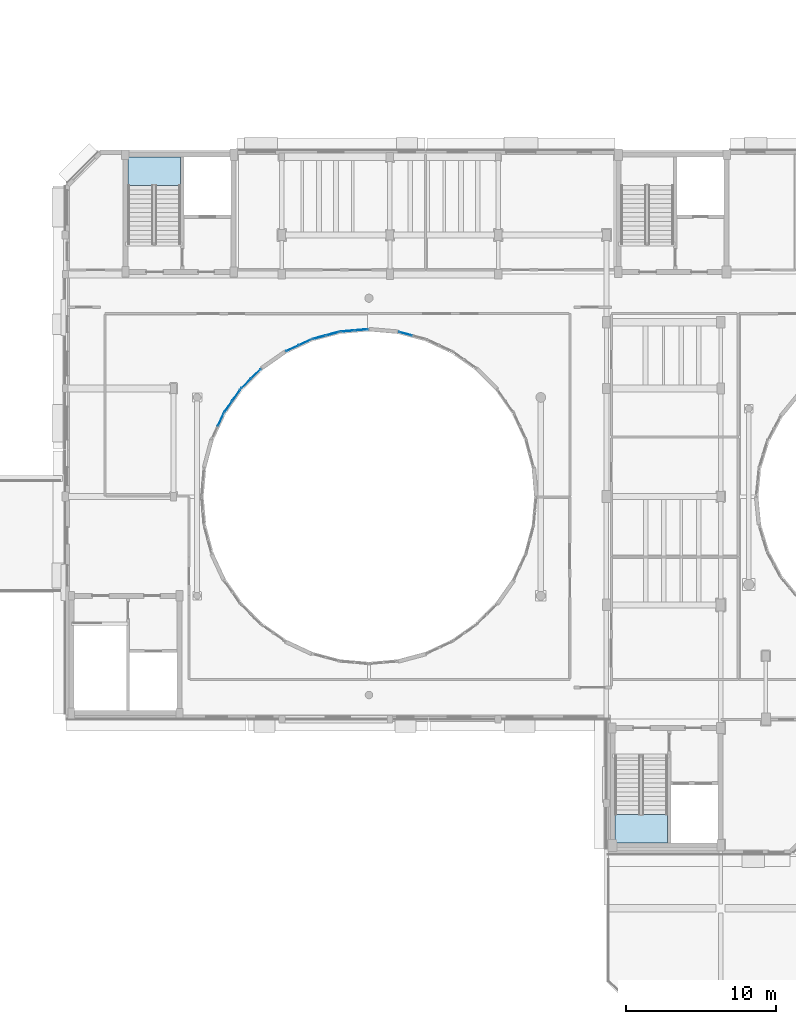
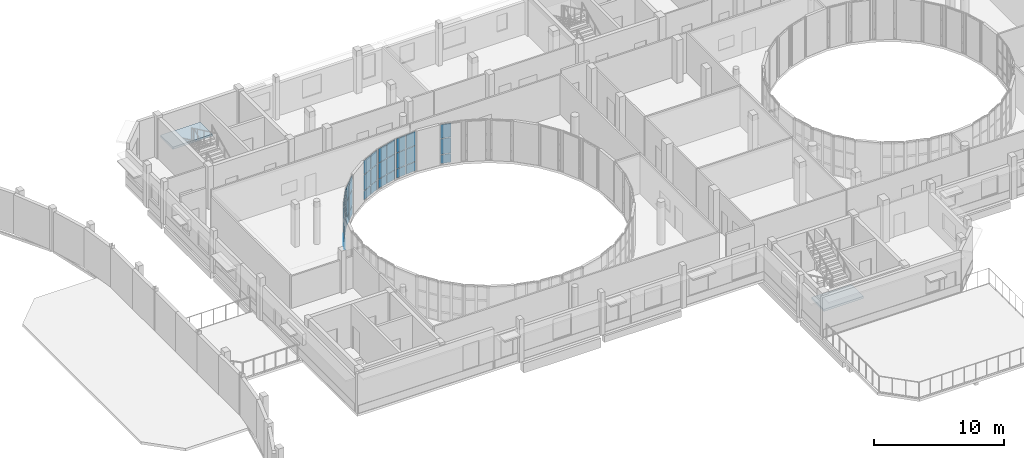
# One storey, part 56 of 89: 36 plates, 2 slabs, 9 elements without a shape of their own.
"""IFC4 building model written with IfcOpenShell, lengths in metres."""

from ifc_helpers import new_model, si_unit, direction, frame, origin, origin_2d, place, context, subcontext, project, spatial, polyline, rectangle, outline, extrude, material, layer, layer_set, type_object, element, aggregate, save


model = new_model("IFC4")

# Units and contexts
model_context = context("Model", 3, precision=1e-05, world=origin(), true_north=direction((0.0, 1.0)))
body_context = subcontext(model_context, "Body", "Model", "MODEL_VIEW")
ifc_project = project(units=[si_unit("LENGTHUNIT", "METRE"), si_unit("AREAUNIT", "SQUARE_METRE"), si_unit("VOLUMEUNIT", "CUBIC_METRE"), si_unit("PLANEANGLEUNIT", "RADIAN"), si_unit("MASSUNIT", "GRAM", prefix="KILO")], contexts=[model_context])

# Site, building, storey
site_placement = place(None, origin())
site = spatial("IfcSite", under=ifc_project, at=site_placement, CompositionType="ELEMENT")
building_placement = place(site_placement, origin())
building = spatial("IfcBuilding", under=site, at=building_placement, Name="Kelanivale Promenade Academy", CompositionType="ELEMENT")
storey_placement = place(building_placement, frame((0.0, 0.0, 12.199951171875)))
storey = spatial("IfcBuildingStorey", under=building, at=storey_placement, Name="L03", CompositionType="ELEMENT", Elevation=12.199951171875)

# Curtain wall, plates
ifc_material_1 = material(Name="Bronze anodised aluminium and solar-control low-E glass", Category="aluminium")
ifc_layer_1 = layer(ifc_material_1, 0.169921875)
ifc_layer_set_1 = layer_set([ifc_layer_1], Name="Bronze anodised aluminium and solar-control low-E glass")
curtain_wall_type_1 = type_object("IfcCurtainWallType", Name="CW-16 Curtain Wall 1800mm Module", PredefinedType="USERDEFINED", material=ifc_layer_set_1)
curtain_wall_1_placement = place(storey_placement, origin())
curtain_wall_1 = element("IfcCurtainWall", 1, at=curtain_wall_1_placement, inside=storey, type_object=curtain_wall_type_1, Name="L03 courtyard curtain wall CW-16", ObjectType="COURTYARD SCREEN GLAZING", PredefinedType="USERDEFINED")
ifc_material_2 = material(Name="Solar-control double glazing 28 mm", Category="glass")
ifc_layer_2 = layer(ifc_material_2, 0.028076171875)
ifc_layer_set_2 = layer_set([ifc_layer_2], Name="Solar-control double glazing 28 mm")
plate_type_1 = type_object("IfcPlateType", Name="CWP-01 Plate 28mm", PredefinedType="CURTAIN_PANEL", material=ifc_layer_set_2)
plate_1_placement = place(storey_placement, frame((65.835205078125, 67.63671875, 0.06005859375), z_axis=(0.0, 0.0, 1.0), x_axis=(-0.965990259056, 0.258578458902, 0.0)))
plate_1 = element("IfcPlate", 2, at=plate_1_placement, type_object=plate_type_1, Name="CW-16 panel 2.1", PredefinedType="CURTAIN_PANEL", context=body_context, shape_type="SweptSolid", body=[
    extrude(rectangle(XDim=0.853759765625, YDim=0.028076171875, at=origin_2d()), origin(), (0.0, 0.0, 1.0), 0.81005859375),
])
plate_2_placement = place(storey_placement, frame((65.835205078125, 67.63671875, 0.93017578125), z_axis=(0.0, 0.0, 1.0), x_axis=(-0.965990259056, 0.258578458902, 0.0)))
plate_2 = element("IfcPlate", 3, at=plate_2_placement, type_object=plate_type_1, Name="CW-16 panel 2.2", PredefinedType="CURTAIN_PANEL", context=body_context, shape_type="SweptSolid", body=[
    extrude(rectangle(XDim=0.853759765625, YDim=0.028076171875, at=origin_2d()), origin(), (0.0, 0.0, 1.0), 1.43994140625),
])
plate_3_placement = place(storey_placement, frame((65.835205078125, 67.63671875, 2.429931640625), z_axis=(0.0, 0.0, 1.0), x_axis=(-0.965990259056, 0.258578458902, 0.0)))
plate_3 = element("IfcPlate", 4, at=plate_3_placement, type_object=plate_type_1, Name="CW-16 panel 2.3", PredefinedType="CURTAIN_PANEL", context=body_context, shape_type="SweptSolid", body=[
    extrude(rectangle(XDim=0.853759765625, YDim=0.028076171875, at=origin_2d()), origin(), (0.0, 0.0, 1.0), 1.2900390625),
])
aggregate(curtain_wall_1, [plate_1, plate_2, plate_3])

ifc_layer_3 = layer(ifc_material_1, 0.169921875)
ifc_layer_set_3 = layer_set([ifc_layer_3], Name="Bronze anodised aluminium and solar-control low-E glass")
curtain_wall_type_2 = type_object("IfcCurtainWallType", Name="CW-19 Curtain Wall 1350mm Module", PredefinedType="USERDEFINED", material=ifc_layer_set_3)
curtain_wall_2_placement = place(storey_placement, origin())
curtain_wall_2 = element("IfcCurtainWall", 5, at=curtain_wall_2_placement, inside=storey, type_object=curtain_wall_type_2, Name="L03 courtyard curtain wall CW-19", ObjectType="COURTYARD SCREEN GLAZING", PredefinedType="USERDEFINED")
plate_4_placement = place(storey_placement, frame((59.13330078125, 67.055908203125, 0.05029296875), z_axis=(0.0, 0.0, 1.0), x_axis=(-0.906089128146, -0.423086860887, 0.0)))
plate_4 = element("IfcPlate", 6, at=plate_4_placement, type_object=plate_type_1, Name="CW-19 panel 1.1", PredefinedType="CURTAIN_PANEL", context=body_context, shape_type="SweptSolid", body=[
    extrude(rectangle(XDim=0.853759765625, YDim=0.028076171875, at=origin_2d()), origin(), (0.0, 0.0, 1.0), 0.824951171875),
])
plate_5_placement = place(storey_placement, frame((59.13330078125, 67.055908203125, 0.92529296875), z_axis=(0.0, 0.0, 1.0), x_axis=(-0.906089128146, -0.423086860887, 0.0)))
plate_5 = element("IfcPlate", 7, at=plate_5_placement, type_object=plate_type_1, Name="CW-19 panel 1.2", PredefinedType="CURTAIN_PANEL", context=body_context, shape_type="SweptSolid", body=[
    extrude(rectangle(XDim=0.853759765625, YDim=0.028076171875, at=origin_2d()), origin(), (0.0, 0.0, 1.0), 1.449951171875),
])
plate_6_placement = place(storey_placement, frame((59.13330078125, 67.055908203125, 2.42529296875), z_axis=(0.0, 0.0, 1.0), x_axis=(-0.906089128146, -0.423086860887, 0.0)))
plate_6 = element("IfcPlate", 8, at=plate_6_placement, type_object=plate_type_1, Name="CW-19 panel 1.3", PredefinedType="CURTAIN_PANEL", context=body_context, shape_type="SweptSolid", body=[
    extrude(rectangle(XDim=0.853759765625, YDim=0.028076171875, at=origin_2d()), origin(), (0.0, 0.0, 1.0), 1.304931640625),
])
plate_7_placement = place(storey_placement, frame((58.30078125, 66.667236328125, 0.05029296875), z_axis=(0.0, 0.0, 1.0), x_axis=(-0.906089128146, -0.423086860887, 0.0)))
plate_7 = element("IfcPlate", 9, at=plate_7_placement, type_object=plate_type_1, Name="CW-19 panel 2.1", PredefinedType="CURTAIN_PANEL", context=body_context, shape_type="SweptSolid", body=[
    extrude(rectangle(XDim=0.853759765625, YDim=0.028076171875, at=origin_2d()), origin(), (0.0, 0.0, 1.0), 0.824951171875),
])
plate_8_placement = place(storey_placement, frame((58.30078125, 66.667236328125, 0.92529296875), z_axis=(0.0, 0.0, 1.0), x_axis=(-0.906089128146, -0.423086860887, 0.0)))
plate_8 = element("IfcPlate", 10, at=plate_8_placement, type_object=plate_type_1, Name="CW-19 panel 2.2", PredefinedType="CURTAIN_PANEL", context=body_context, shape_type="SweptSolid", body=[
    extrude(rectangle(XDim=0.853759765625, YDim=0.028076171875, at=origin_2d()), origin(), (0.0, 0.0, 1.0), 1.449951171875),
])
plate_9_placement = place(storey_placement, frame((58.30078125, 66.667236328125, 2.42529296875), z_axis=(0.0, 0.0, 1.0), x_axis=(-0.906089128146, -0.423086860887, 0.0)))
plate_9 = element("IfcPlate", 11, at=plate_9_placement, type_object=plate_type_1, Name="CW-19 panel 2.3", PredefinedType="CURTAIN_PANEL", context=body_context, shape_type="SweptSolid", body=[
    extrude(rectangle(XDim=0.853759765625, YDim=0.028076171875, at=origin_2d()), origin(), (0.0, 0.0, 1.0), 1.304931640625),
])
aggregate(curtain_wall_2, [plate_4, plate_5, plate_6, plate_7, plate_8, plate_9])

ifc_layer_4 = layer(ifc_material_1, 0.169921875)
ifc_layer_set_4 = layer_set([ifc_layer_4], Name="Bronze anodised aluminium and solar-control low-E glass")
curtain_wall_type_3 = type_object("IfcCurtainWallType", Name="CW-22 Curtain Wall 1800mm Module", PredefinedType="USERDEFINED", material=ifc_layer_set_4)
curtain_wall_3_placement = place(storey_placement, origin())
curtain_wall_3 = element("IfcCurtainWall", 12, at=curtain_wall_3_placement, inside=storey, type_object=curtain_wall_type_3, Name="L03 courtyard curtain wall CW-22", ObjectType="COURTYARD SCREEN GLAZING", PredefinedType="USERDEFINED")
plate_10_placement = place(storey_placement, frame((53.539306640625, 61.914306640625, 0.05029296875), z_axis=(0.0, 0.0, 1.0), x_axis=(-0.423086860887, -0.906089128146, 0.0)))
plate_10 = element("IfcPlate", 13, at=plate_10_placement, type_object=plate_type_1, Name="CW-22 panel 1.1", PredefinedType="CURTAIN_PANEL", context=body_context, shape_type="SweptSolid", body=[
    extrude(rectangle(XDim=0.861328125, YDim=0.028076171875, at=origin_2d()), origin(), (0.0, 0.0, 1.0), 0.824951171875),
])
plate_11_placement = place(storey_placement, frame((53.539306640625, 61.914306640625, 0.92529296875), z_axis=(0.0, 0.0, 1.0), x_axis=(-0.423086860887, -0.906089128146, 0.0)))
plate_11 = element("IfcPlate", 14, at=plate_11_placement, type_object=plate_type_1, Name="CW-22 panel 1.2", PredefinedType="CURTAIN_PANEL", context=body_context, shape_type="SweptSolid", body=[
    extrude(rectangle(XDim=0.861328125, YDim=0.028076171875, at=origin_2d()), origin(), (0.0, 0.0, 1.0), 1.449951171875),
])
plate_12_placement = place(storey_placement, frame((53.539306640625, 61.914306640625, 2.42529296875), z_axis=(0.0, 0.0, 1.0), x_axis=(-0.423086860887, -0.906089128146, 0.0)))
plate_12 = element("IfcPlate", 15, at=plate_12_placement, type_object=plate_type_1, Name="CW-22 panel 1.3", PredefinedType="CURTAIN_PANEL", context=body_context, shape_type="SweptSolid", body=[
    extrude(rectangle(XDim=0.861328125, YDim=0.028076171875, at=origin_2d()), origin(), (0.0, 0.0, 1.0), 1.304931640625),
])
aggregate(curtain_wall_3, [plate_10, plate_11, plate_12])

ifc_layer_5 = layer(ifc_material_1, 0.179931640625)
ifc_layer_set_5 = layer_set([ifc_layer_5], Name="Bronze anodised aluminium and solar-control low-E glass")
curtain_wall_type_4 = type_object("IfcCurtainWallType", Name="CW-17 Curtain Wall 1950mm Module", PredefinedType="USERDEFINED", material=ifc_layer_set_5)
curtain_wall_4_placement = place(storey_placement, origin())
curtain_wall_4 = element("IfcCurtainWall", 16, at=curtain_wall_4_placement, inside=storey, type_object=curtain_wall_type_4, Name="L03 courtyard curtain wall CW-17", ObjectType="COURTYARD SCREEN GLAZING", PredefinedType="USERDEFINED")
ifc_material_3 = material(Name="Acoustic laminated double glazing 36 mm", Category="glass")
ifc_layer_6 = layer(ifc_material_3, 0.035888671875)
ifc_layer_set_6 = layer_set([ifc_layer_6], Name="Acoustic laminated double glazing 36 mm")
plate_type_2 = type_object("IfcPlateType", Name="CWP-02 Plate 36mm", PredefinedType="CURTAIN_PANEL", material=ifc_layer_set_6)
plate_13_placement = place(storey_placement, frame((62.88427734375, 67.895263671875, 0.05029296875), z_axis=(0.0, 0.0, 1.0), x_axis=(-0.996185153601, -0.087264768066, 0.0)))
plate_13 = element("IfcPlate", 17, at=plate_13_placement, type_object=plate_type_2, Name="CW-17 panel 1.1", PredefinedType="CURTAIN_PANEL", context=body_context, shape_type="SweptSolid", body=[
    extrude(rectangle(XDim=0.861083984375, YDim=0.035888671875, at=origin_2d()), origin(), (0.0, 0.0, 1.0), 0.824951171875),
])
plate_14_placement = place(storey_placement, frame((62.88427734375, 67.895263671875, 0.92529296875), z_axis=(0.0, 0.0, 1.0), x_axis=(-0.996185153601, -0.087264768066, 0.0)))
plate_14 = element("IfcPlate", 18, at=plate_14_placement, type_object=plate_type_2, Name="CW-17 panel 1.2", PredefinedType="CURTAIN_PANEL", context=body_context, shape_type="SweptSolid", body=[
    extrude(rectangle(XDim=0.861083984375, YDim=0.035888671875, at=origin_2d()), origin(), (0.0, 0.0, 1.0), 1.449951171875),
])
plate_15_placement = place(storey_placement, frame((62.88427734375, 67.895263671875, 2.42529296875), z_axis=(0.0, 0.0, 1.0), x_axis=(-0.996185153601, -0.087264768066, 0.0)))
plate_15 = element("IfcPlate", 19, at=plate_15_placement, type_object=plate_type_2, Name="CW-17 panel 1.3", PredefinedType="CURTAIN_PANEL", context=body_context, shape_type="SweptSolid", body=[
    extrude(rectangle(XDim=0.861083984375, YDim=0.035888671875, at=origin_2d()), origin(), (0.0, 0.0, 1.0), 1.304931640625),
])
plate_16_placement = place(storey_placement, frame((61.966796875, 67.814697265625, 0.05029296875), z_axis=(0.0, 0.0, 1.0), x_axis=(-0.996185153601, -0.087264768066, 0.0)))
plate_16 = element("IfcPlate", 20, at=plate_16_placement, type_object=plate_type_2, Name="CW-17 panel 2.1", PredefinedType="CURTAIN_PANEL", context=body_context, shape_type="SweptSolid", body=[
    extrude(rectangle(XDim=0.861083984375, YDim=0.035888671875, at=origin_2d()), origin(), (0.0, 0.0, 1.0), 0.824951171875),
])
plate_17_placement = place(storey_placement, frame((61.966796875, 67.814697265625, 0.92529296875), z_axis=(0.0, 0.0, 1.0), x_axis=(-0.996185153601, -0.087264768066, 0.0)))
plate_17 = element("IfcPlate", 21, at=plate_17_placement, type_object=plate_type_2, Name="CW-17 panel 2.2", PredefinedType="CURTAIN_PANEL", context=body_context, shape_type="SweptSolid", body=[
    extrude(rectangle(XDim=0.861083984375, YDim=0.035888671875, at=origin_2d()), origin(), (0.0, 0.0, 1.0), 1.449951171875),
])
plate_18_placement = place(storey_placement, frame((61.966796875, 67.814697265625, 2.42529296875), z_axis=(0.0, 0.0, 1.0), x_axis=(-0.996185153601, -0.087264768066, 0.0)))
plate_18 = element("IfcPlate", 22, at=plate_18_placement, type_object=plate_type_2, Name="CW-17 panel 2.3", PredefinedType="CURTAIN_PANEL", context=body_context, shape_type="SweptSolid", body=[
    extrude(rectangle(XDim=0.861083984375, YDim=0.035888671875, at=origin_2d()), origin(), (0.0, 0.0, 1.0), 1.304931640625),
])
aggregate(curtain_wall_4, [plate_13, plate_14, plate_15, plate_16, plate_17, plate_18])

ifc_layer_7 = layer(ifc_material_1, 0.179931640625)
ifc_layer_set_7 = layer_set([ifc_layer_7], Name="Bronze anodised aluminium and solar-control low-E glass")
curtain_wall_type_5 = type_object("IfcCurtainWallType", Name="CW-20 Curtain Wall 1500mm Module", PredefinedType="USERDEFINED", material=ifc_layer_set_7)
curtain_wall_5_placement = place(storey_placement, origin())
curtain_wall_5 = element("IfcCurtainWall", 23, at=curtain_wall_5_placement, inside=storey, type_object=curtain_wall_type_5, Name="L03 courtyard curtain wall CW-20", ObjectType="COURTYARD SCREEN GLAZING", PredefinedType="USERDEFINED")
plate_19_placement = place(storey_placement, frame((55.87158203125, 64.966552734375, 0.06005859375), z_axis=(0.0, 0.0, 1.0), x_axis=(-0.707106781187, -0.707106781187, 0.0)))
plate_19 = element("IfcPlate", 24, at=plate_19_placement, type_object=plate_type_2, Name="CW-20 panel 1.1", PredefinedType="CURTAIN_PANEL", context=body_context, shape_type="SweptSolid", body=[
    extrude(rectangle(XDim=0.852783203125, YDim=0.035888671875, at=origin_2d()), origin(), (0.0, 0.0, 1.0), 0.81005859375),
])
plate_20_placement = place(storey_placement, frame((55.87158203125, 64.966552734375, 0.93017578125), z_axis=(0.0, 0.0, 1.0), x_axis=(-0.707106781187, -0.707106781187, 0.0)))
plate_20 = element("IfcPlate", 25, at=plate_20_placement, type_object=plate_type_2, Name="CW-20 panel 1.2", PredefinedType="CURTAIN_PANEL", context=body_context, shape_type="SweptSolid", body=[
    extrude(rectangle(XDim=0.852783203125, YDim=0.035888671875, at=origin_2d()), origin(), (0.0, 0.0, 1.0), 1.43994140625),
])
plate_21_placement = place(storey_placement, frame((55.87158203125, 64.966552734375, 2.429931640625), z_axis=(0.0, 0.0, 1.0), x_axis=(-0.707106781187, -0.707106781187, 0.0)))
plate_21 = element("IfcPlate", 26, at=plate_21_placement, type_object=plate_type_2, Name="CW-20 panel 1.3", PredefinedType="CURTAIN_PANEL", context=body_context, shape_type="SweptSolid", body=[
    extrude(rectangle(XDim=0.852783203125, YDim=0.035888671875, at=origin_2d()), origin(), (0.0, 0.0, 1.0), 1.2900390625),
])
plate_22_placement = place(storey_placement, frame((55.222412109375, 64.3173828125, 0.06005859375), z_axis=(0.0, 0.0, 1.0), x_axis=(-0.707106781187, -0.707106781187, 0.0)))
plate_22 = element("IfcPlate", 27, at=plate_22_placement, type_object=plate_type_2, Name="CW-20 panel 2.1", PredefinedType="CURTAIN_PANEL", context=body_context, shape_type="SweptSolid", body=[
    extrude(rectangle(XDim=0.852783203125, YDim=0.035888671875, at=origin_2d()), origin(), (0.0, 0.0, 1.0), 0.81005859375),
])
plate_23_placement = place(storey_placement, frame((55.222412109375, 64.3173828125, 0.93017578125), z_axis=(0.0, 0.0, 1.0), x_axis=(-0.707106781187, -0.707106781187, 0.0)))
plate_23 = element("IfcPlate", 28, at=plate_23_placement, type_object=plate_type_2, Name="CW-20 panel 2.2", PredefinedType="CURTAIN_PANEL", context=body_context, shape_type="SweptSolid", body=[
    extrude(rectangle(XDim=0.852783203125, YDim=0.035888671875, at=origin_2d()), origin(), (0.0, 0.0, 1.0), 1.43994140625),
])
plate_24_placement = place(storey_placement, frame((55.222412109375, 64.3173828125, 2.429931640625), z_axis=(0.0, 0.0, 1.0), x_axis=(-0.707106781187, -0.707106781187, 0.0)))
plate_24 = element("IfcPlate", 29, at=plate_24_placement, type_object=plate_type_2, Name="CW-20 panel 2.3", PredefinedType="CURTAIN_PANEL", context=body_context, shape_type="SweptSolid", body=[
    extrude(rectangle(XDim=0.852783203125, YDim=0.035888671875, at=origin_2d()), origin(), (0.0, 0.0, 1.0), 1.2900390625),
])
aggregate(curtain_wall_5, [plate_19, plate_20, plate_21, plate_22, plate_23, plate_24])

ifc_layer_8 = layer(ifc_material_1, 0.159912109375)
ifc_layer_set_8 = layer_set([ifc_layer_8], Name="Bronze anodised aluminium and solar-control low-E glass")
curtain_wall_type_6 = type_object("IfcCurtainWallType", Name="CW-18 Curtain Wall 1200mm Module", PredefinedType="USERDEFINED", material=ifc_layer_set_8)
curtain_wall_6_placement = place(storey_placement, origin())
curtain_wall_6 = element("IfcCurtainWall", 30, at=curtain_wall_6_placement, inside=storey, type_object=curtain_wall_type_6, Name="L03 courtyard curtain wall CW-18", ObjectType="COURTYARD SCREEN GLAZING", PredefinedType="USERDEFINED")
ifc_material_4 = material(Name="Insulated bronze aluminium spandrel panel 44 mm", Category="aluminium")
ifc_layer_9 = layer(ifc_material_4, 0.0439453125)
ifc_layer_set_9 = layer_set([ifc_layer_9], Name="Insulated bronze aluminium spandrel panel 44 mm")
plate_type_3 = type_object("IfcPlateType", Name="CWP-03 Plate 44mm", PredefinedType="CURTAIN_PANEL", material=ifc_layer_set_9)
plate_25_placement = place(storey_placement, frame((60.9765625, 67.64013671875, 0.05029296875), z_axis=(0.0, 0.0, 1.0), x_axis=(-0.96595736195, -0.258701323721, 0.0)))
plate_25 = element("IfcPlate", 31, at=plate_25_placement, type_object=plate_type_3, Name="CW-18 panel 1.1", PredefinedType="CURTAIN_PANEL", context=body_context, shape_type="SweptSolid", body=[
    extrude(rectangle(XDim=0.86865234375, YDim=0.0439453125, at=origin_2d()), origin(), (0.0, 0.0, 1.0), 0.824951171875),
])
plate_26_placement = place(storey_placement, frame((60.9765625, 67.64013671875, 0.92529296875), z_axis=(0.0, 0.0, 1.0), x_axis=(-0.96595736195, -0.258701323721, 0.0)))
plate_26 = element("IfcPlate", 32, at=plate_26_placement, type_object=plate_type_3, Name="CW-18 panel 1.2", PredefinedType="CURTAIN_PANEL", context=body_context, shape_type="SweptSolid", body=[
    extrude(rectangle(XDim=0.86865234375, YDim=0.0439453125, at=origin_2d()), origin(), (0.0, 0.0, 1.0), 1.449951171875),
])
plate_27_placement = place(storey_placement, frame((60.9765625, 67.64013671875, 2.42529296875), z_axis=(0.0, 0.0, 1.0), x_axis=(-0.96595736195, -0.258701323721, 0.0)))
plate_27 = element("IfcPlate", 33, at=plate_27_placement, type_object=plate_type_3, Name="CW-18 panel 1.3", PredefinedType="CURTAIN_PANEL", context=body_context, shape_type="SweptSolid", body=[
    extrude(rectangle(XDim=0.86865234375, YDim=0.0439453125, at=origin_2d()), origin(), (0.0, 0.0, 1.0), 1.304931640625),
])
plate_28_placement = place(storey_placement, frame((60.07958984375, 67.39990234375, 0.05029296875), z_axis=(0.0, 0.0, 1.0), x_axis=(-0.96595736195, -0.258701323721, 0.0)))
plate_28 = element("IfcPlate", 34, at=plate_28_placement, type_object=plate_type_3, Name="CW-18 panel 2.1", PredefinedType="CURTAIN_PANEL", context=body_context, shape_type="SweptSolid", body=[
    extrude(rectangle(XDim=0.86865234375, YDim=0.0439453125, at=origin_2d()), origin(), (0.0, 0.0, 1.0), 0.824951171875),
])
plate_29_placement = place(storey_placement, frame((60.07958984375, 67.39990234375, 0.92529296875), z_axis=(0.0, 0.0, 1.0), x_axis=(-0.96595736195, -0.258701323721, 0.0)))
plate_29 = element("IfcPlate", 35, at=plate_29_placement, type_object=plate_type_3, Name="CW-18 panel 2.2", PredefinedType="CURTAIN_PANEL", context=body_context, shape_type="SweptSolid", body=[
    extrude(rectangle(XDim=0.86865234375, YDim=0.0439453125, at=origin_2d()), origin(), (0.0, 0.0, 1.0), 1.449951171875),
])
plate_30_placement = place(storey_placement, frame((60.07958984375, 67.39990234375, 2.42529296875), z_axis=(0.0, 0.0, 1.0), x_axis=(-0.96595736195, -0.258701323721, 0.0)))
plate_30 = element("IfcPlate", 36, at=plate_30_placement, type_object=plate_type_3, Name="CW-18 panel 2.3", PredefinedType="CURTAIN_PANEL", context=body_context, shape_type="SweptSolid", body=[
    extrude(rectangle(XDim=0.86865234375, YDim=0.0439453125, at=origin_2d()), origin(), (0.0, 0.0, 1.0), 1.304931640625),
])
aggregate(curtain_wall_6, [plate_25, plate_26, plate_27, plate_28, plate_29, plate_30])

ifc_layer_10 = layer(ifc_material_1, 0.159912109375)
ifc_layer_set_10 = layer_set([ifc_layer_10], Name="Bronze anodised aluminium and solar-control low-E glass")
curtain_wall_type_7 = type_object("IfcCurtainWallType", Name="CW-21 Curtain Wall 1650mm Module", PredefinedType="USERDEFINED", material=ifc_layer_set_10)
curtain_wall_7_placement = place(storey_placement, origin())
curtain_wall_7 = element("IfcCurtainWall", 37, at=curtain_wall_7_placement, inside=storey, type_object=curtain_wall_type_7, Name="L03 courtyard curtain wall CW-21", ObjectType="COURTYARD SCREEN GLAZING", PredefinedType="USERDEFINED")
plate_31_placement = place(storey_placement, frame((54.575439453125, 63.5458984375, 0.05029296875), z_axis=(0.0, 0.0, 1.0), x_axis=(-0.573567324515, -0.81915842439, 0.0)))
plate_31 = element("IfcPlate", 38, at=plate_31_placement, type_object=plate_type_3, Name="CW-21 panel 1.1", PredefinedType="CURTAIN_PANEL", context=body_context, shape_type="SweptSolid", body=[
    extrude(rectangle(XDim=0.868896484375, YDim=0.0439453125, at=origin_2d()), origin(), (0.0, 0.0, 1.0), 0.824951171875),
])
plate_32_placement = place(storey_placement, frame((54.575439453125, 63.5458984375, 0.92529296875), z_axis=(0.0, 0.0, 1.0), x_axis=(-0.573567324515, -0.81915842439, 0.0)))
plate_32 = element("IfcPlate", 39, at=plate_32_placement, type_object=plate_type_3, Name="CW-21 panel 1.2", PredefinedType="CURTAIN_PANEL", context=body_context, shape_type="SweptSolid", body=[
    extrude(rectangle(XDim=0.868896484375, YDim=0.0439453125, at=origin_2d()), origin(), (0.0, 0.0, 1.0), 1.449951171875),
])
plate_33_placement = place(storey_placement, frame((54.575439453125, 63.5458984375, 2.42529296875), z_axis=(0.0, 0.0, 1.0), x_axis=(-0.573567324515, -0.81915842439, 0.0)))
plate_33 = element("IfcPlate", 40, at=plate_33_placement, type_object=plate_type_3, Name="CW-21 panel 1.3", PredefinedType="CURTAIN_PANEL", context=body_context, shape_type="SweptSolid", body=[
    extrude(rectangle(XDim=0.868896484375, YDim=0.0439453125, at=origin_2d()), origin(), (0.0, 0.0, 1.0), 1.304931640625),
])
plate_34_placement = place(storey_placement, frame((54.042724609375, 62.78515625, 0.05029296875), z_axis=(0.0, 0.0, 1.0), x_axis=(-0.573567324515, -0.81915842439, 0.0)))
plate_34 = element("IfcPlate", 41, at=plate_34_placement, type_object=plate_type_3, Name="CW-21 panel 2.1", PredefinedType="CURTAIN_PANEL", context=body_context, shape_type="SweptSolid", body=[
    extrude(rectangle(XDim=0.868896484375, YDim=0.0439453125, at=origin_2d()), origin(), (0.0, 0.0, 1.0), 0.824951171875),
])
plate_35_placement = place(storey_placement, frame((54.042724609375, 62.78515625, 0.92529296875), z_axis=(0.0, 0.0, 1.0), x_axis=(-0.573567324515, -0.81915842439, 0.0)))
plate_35 = element("IfcPlate", 42, at=plate_35_placement, type_object=plate_type_3, Name="CW-21 panel 2.2", PredefinedType="CURTAIN_PANEL", context=body_context, shape_type="SweptSolid", body=[
    extrude(rectangle(XDim=0.868896484375, YDim=0.0439453125, at=origin_2d()), origin(), (0.0, 0.0, 1.0), 1.449951171875),
])
plate_36_placement = place(storey_placement, frame((54.042724609375, 62.78515625, 2.42529296875), z_axis=(0.0, 0.0, 1.0), x_axis=(-0.573567324515, -0.81915842439, 0.0)))
plate_36 = element("IfcPlate", 43, at=plate_36_placement, type_object=plate_type_3, Name="CW-21 panel 2.3", PredefinedType="CURTAIN_PANEL", context=body_context, shape_type="SweptSolid", body=[
    extrude(rectangle(XDim=0.868896484375, YDim=0.0439453125, at=origin_2d()), origin(), (0.0, 0.0, 1.0), 1.304931640625),
])
aggregate(curtain_wall_7, [plate_31, plate_32, plate_33, plate_34, plate_35, plate_36])

# Stair, slab
ifc_material_5 = material(Name="Concrete C35/45", Category="concrete")
stair_type = type_object("IfcStairType", Name="ST-T02 Protected dog-leg upper-storey stair", PredefinedType="HALF_TURN_STAIR", material=ifc_material_5)
stair_1_placement = place(storey_placement, origin())
stair_1 = element("IfcStair", 44, at=stair_1_placement, inside=storey, type_object=stair_type, Name="L03 ST-01", PredefinedType="HALF_TURN_STAIR")
ifc_layer_11 = layer(ifc_material_5, 0.199951171875)
ifc_layer_set_11 = layer_set([ifc_layer_11], Name="Concrete C35/45")
slab_type = type_object("IfcSlabType", Name="LS-01 Slab 200mm", PredefinedType="LANDING", material=ifc_layer_set_11)
slab_1_placement = place(storey_placement, frame((0.0, 0.0, 1.800048828125)))
slab_1 = element("IfcSlab", 45, at=slab_1_placement, type_object=slab_type, Name="ST-01 landing 1", PredefinedType="LANDING", context=body_context, shape_type="SweptSolid", body=[
    extrude(outline(polyline([(79.764892578125, 35.64501953125), (79.764892578125, 33.764892578125), (83.264892578125, 33.764892578125), (83.264892578125, 35.64501953125), (79.764892578125, 35.64501953125)])), origin(), (0.0, 0.0, 1.0), 0.199951171875),
])
aggregate(stair_1, [slab_1])

stair_2_placement = place(storey_placement, origin())
stair_2 = element("IfcStair", 46, at=stair_2_placement, inside=storey, type_object=stair_type, Name="L03 ST-04", PredefinedType="HALF_TURN_STAIR")
slab_2_placement = place(storey_placement, frame((0.0, 0.0, 1.800048828125)))
slab_2 = element("IfcSlab", 47, at=slab_2_placement, type_object=slab_type, Name="ST-04 landing 1", PredefinedType="LANDING", context=body_context, shape_type="SweptSolid", body=[
    extrude(outline(polyline([(50.864990234375, 77.5048828125), (50.864990234375, 79.385009765625), (47.364990234375, 79.385009765625), (47.364990234375, 77.5048828125), (50.864990234375, 77.5048828125)])), origin(), (0.0, 0.0, 1.0), 0.199951171875),
])
aggregate(stair_2, [slab_2])

save(model, "model.ifc")
